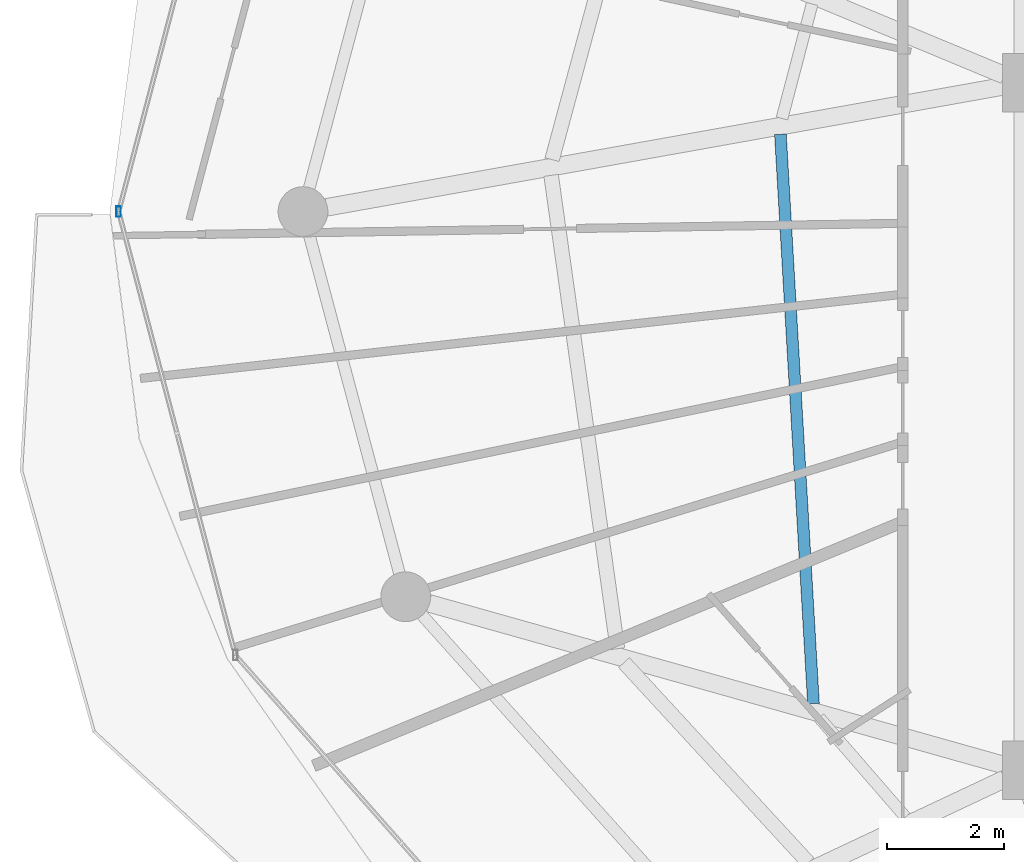
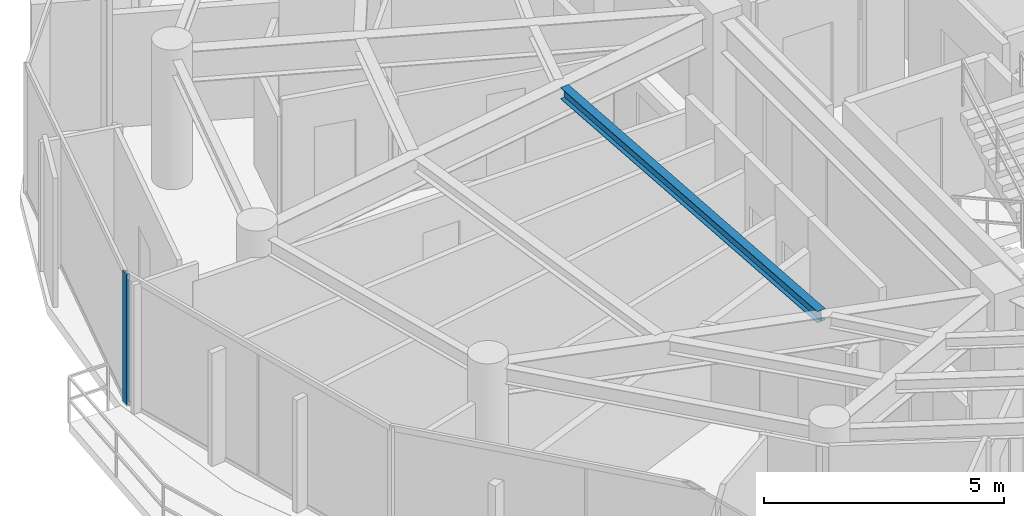
# One storey, part 7 of 31: 1 beam, 1 member, 1 element without a shape of its own.
"""IFC4 building model written with IfcOpenShell, lengths in metres."""

from ifc_helpers import new_model, si_unit, direction, frame, origin, origin_2d, place, context, subcontext, project, spatial, hollow_rectangle, i_section, extrude, material, material_profile, profile_set, type_object, element, aggregate, save


model = new_model("IFC4")

# Units and contexts
model_context = context("Model", 3, precision=1e-05, world=origin(), true_north=direction((0.0, 1.0)))
body_context = subcontext(model_context, "Body", "Model", "MODEL_VIEW")
ifc_project = project(units=[si_unit("LENGTHUNIT", "METRE"), si_unit("AREAUNIT", "SQUARE_METRE"), si_unit("VOLUMEUNIT", "CUBIC_METRE"), si_unit("PLANEANGLEUNIT", "RADIAN"), si_unit("MASSUNIT", "GRAM", prefix="KILO")], contexts=[model_context])

# Site, building, storey
site_placement = place(None, origin())
site = spatial("IfcSite", under=ifc_project, at=site_placement, CompositionType="ELEMENT")
building_placement = place(site_placement, origin())
building = spatial("IfcBuilding", under=site, at=building_placement, Name="Vorneva Point Tower", CompositionType="ELEMENT")
storey_placement = place(building_placement, frame((0.0, 0.0, 266.199951171875)))
storey = spatial("IfcBuildingStorey", under=building, at=storey_placement, Name="L72", CompositionType="ELEMENT", Elevation=266.199951171875)

# Beam
ifc_material_1 = material(Name="Steel S355", Category="steel")
ifc_material_profile_1 = material_profile(ifc_material_1, i_section(OverallWidth=0.199951171875, OverallDepth=0.291015625, WebThickness=0.008056640625, FlangeThickness=0.010986328125, at=origin_2d()), Name="30Sh1")
ifc_profile_set_1 = profile_set([ifc_material_profile_1], Name="Steel S355")
beam_type = type_object("IfcBeamType", Name="BM-SEC-30Sh1", PredefinedType="BEAM", material=ifc_profile_set_1)
beam_placement = place(storey_placement, frame((23.10888671875, 27.320068359375, 3.14453125), z_axis=(0.057974452456, -0.998318066982, 0.0), x_axis=(0.998318066982, 0.057974452456, 0.0)))
element("IfcBeam", 1, at=beam_placement, inside=storey, type_object=beam_type, Name="L72 Secondary Floor Beam 2.09", PredefinedType="BEAM", context=body_context, shape_type="SweptSolid", body=[
    extrude(i_section(OverallWidth=0.199951171875, OverallDepth=0.291015625, WebThickness=0.008056640625, FlangeThickness=0.010986328125, at=origin_2d()), origin(), (0.0, 0.0, 1.0), 9.74462890625),
])

# Curtain wall, member
ifc_material_2 = material(Name="Pale anodised aluminium", Category="aluminium")
curtain_wall_type = type_object("IfcCurtainWallType", Name="CW-RES-SYS", PredefinedType="NOTDEFINED", material=ifc_material_2)
curtain_wall_placement = place(storey_placement, origin())
curtain_wall = element("IfcCurtainWall", 2, at=curtain_wall_placement, inside=storey, type_object=curtain_wall_type, Name="L72 Unitised Curtain Wall CW-L72-R03", PredefinedType="NOTDEFINED")
ifc_material_profile_2 = material_profile(ifc_material_2, hollow_rectangle(XDim=0.074951171875, YDim=0.179931640625, WallThickness=0.00390625, at=origin_2d()), Name="AL-MUL 180x75x4")
ifc_profile_set_2 = profile_set([ifc_material_profile_2], Name="Pale anodised aluminium")
member_type = type_object("IfcMemberType", Name="CW-MUL-180", PredefinedType="MULLION", material=ifc_profile_set_2)
member_placement = place(storey_placement, frame((11.800048828125, 26.0, -0.0400390625), z_axis=(0.0, 0.0, 1.0), x_axis=(1.0, 0.0, 0.0)))
member = element("IfcMember", 3, at=member_placement, type_object=member_type, Name="CW-L72-R03 Mullion 03", PredefinedType="MULLION", context=body_context, shape_type="SweptSolid", body=[
    extrude(hollow_rectangle(XDim=0.074951171875, YDim=0.179931640625, WallThickness=0.00390625, at=origin_2d()), origin(), (0.0, 0.0, 1.0), 3.360107421875),
])
aggregate(curtain_wall, [member])

save(model, "model.ifc")
